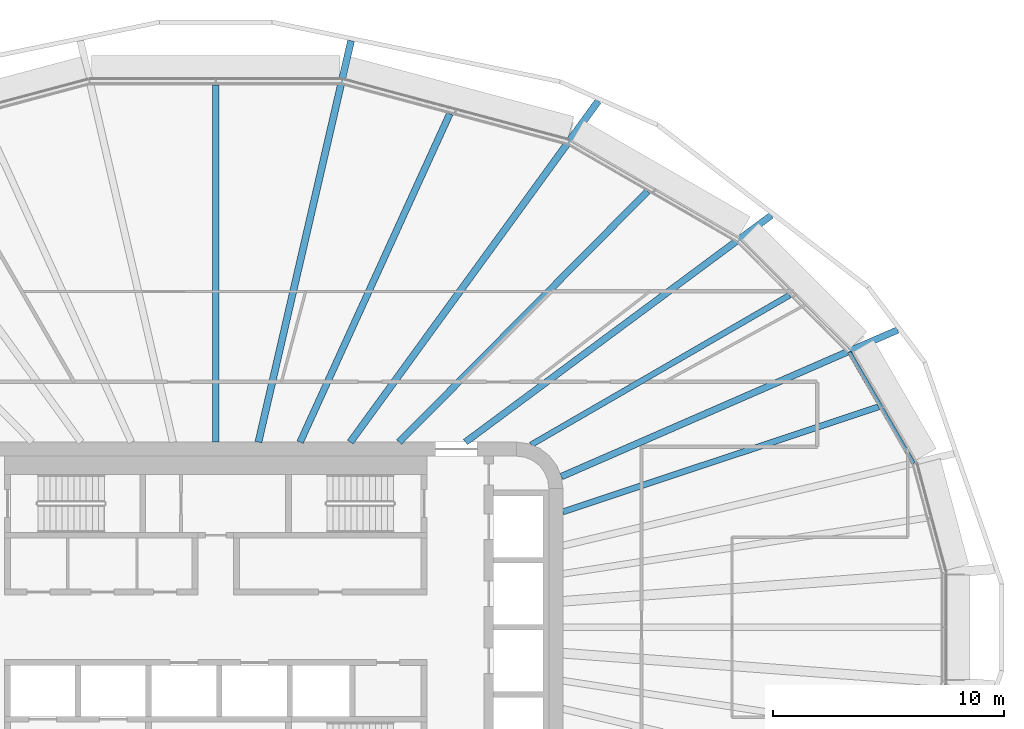
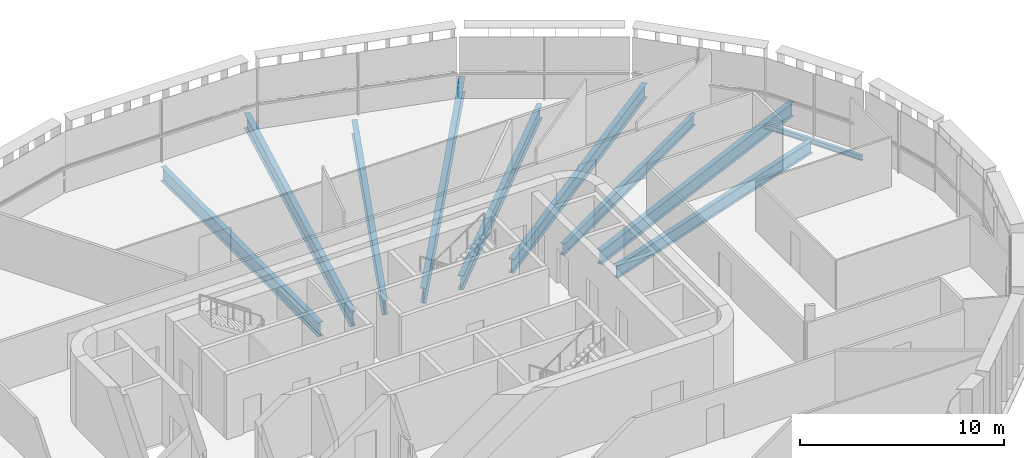
# One storey, part 9 of 25: 10 beams.
"""IFC4 building model written with IfcOpenShell, lengths in metres."""

import ifcopenshell
import ifcopenshell.guid

model = None  # the IFC model being written
_history = None  # IfcOwnerHistory: only IFC2X3 demands one
_inside = {}  # id of a spatial element -> (the spatial element, [elements in it])
_under = {}  # id of a project, library or spatial element -> (it, [spatial elements below it])
_declared = {}  # id of a project -> (the project, [libraries it declares])
_typed = {}  # id of a type object -> (the type object, [elements of that type])
_made_of = {}  # id of a material, layer set ... -> (it, [elements and type objects made of it])


def new_model(schema):
    """Start an empty IFC model of exactly this schema.

    Asked for "IFC4X3", IfcOpenShell would pick the latest addendum, in which some entities
    have other attributes; the version numbers below select the first issue.
    IFC2X3 requires an IfcOwnerHistory on every rooted entity: one is made here for all.
    """
    global model, _history
    if schema == "IFC4X3":
        model = ifcopenshell.file(schema_version=(4, 3, 0, 0))
    else:
        model = ifcopenshell.file(schema=schema)
    _inside.clear()
    _under.clear()
    _declared.clear()
    _typed.clear()
    _made_of.clear()
    _history = None
    if model.schema == "IFC2X3":
        org = make("IfcOrganization", Name="unknown")
        user = make(
            "IfcPersonAndOrganization",
            ThePerson=make("IfcPerson", FamilyName="unknown"),
            TheOrganization=org,
        )
        app = make(
            "IfcApplication",
            ApplicationDeveloper=org,
            Version="unknown",
            ApplicationFullName="unknown",
            ApplicationIdentifier="unknown",
        )
        _history = make(
            "IfcOwnerHistory",
            OwningUser=user,
            OwningApplication=app,
            ChangeAction="ADDED",
            CreationDate=0,
        )
    return model


def make(cls, **values):
    """One entity of the class cls with the attributes given. An attribute that is None is left unset."""
    return model.create_entity(
        cls, **{name: value for name, value in values.items() if value is not None}
    )


def rooted(cls, **values):
    """An entity with a GlobalId (a new one), such as an element, a storey or a relation."""
    return make(cls, GlobalId=ifcopenshell.guid.new(), OwnerHistory=_history, **values)


def si_unit(unit_type, name, prefix=None):
    """IfcSIUnit, for example si_unit("LENGTHUNIT", "METRE", prefix="MILLI")."""
    return make("IfcSIUnit", UnitType=unit_type, Prefix=prefix, Name=name)


def assignment(units):
    """IfcUnitAssignment: the units of a project."""
    return None if units is None else make("IfcUnitAssignment", Units=units)


def point(xyz):
    """IfcCartesianPoint."""
    return None if xyz is None else make("IfcCartesianPoint", Coordinates=xyz)


def direction(xyz):
    """IfcDirection."""
    return None if xyz is None else make("IfcDirection", DirectionRatios=xyz)


def frame(location, z_axis=None, x_axis=None):
    """IfcAxis2Placement3D, a coordinate frame: its origin and axes. An axis left out is left unset."""
    return make(
        "IfcAxis2Placement3D",
        Location=point(location),
        Axis=direction(z_axis),
        RefDirection=direction(x_axis),
    )


def frame_2d(location, x_axis=None):
    """IfcAxis2Placement2D, a coordinate frame in the plane: its origin and x axis."""
    return make(
        "IfcAxis2Placement2D", Location=point(location), RefDirection=direction(x_axis)
    )


def origin():
    """The frame at (0, 0, 0) with its axes left unset."""
    return frame((0.0, 0.0, 0.0))


def origin_2d():
    """The frame at (0, 0) in the plane with its x axis left unset."""
    return frame_2d((0.0, 0.0))


def place(relative_to, where):
    """IfcLocalPlacement: puts the frame where relative to a parent placement (None: the world)."""
    return make(
        "IfcLocalPlacement", PlacementRelTo=relative_to, RelativePlacement=where
    )


def context(
    kind, dimensions, precision=None, world=None, true_north=None, identifier=None
):
    """IfcGeometricRepresentationContext, for example the 3D "Model" context."""
    return make(
        "IfcGeometricRepresentationContext",
        ContextIdentifier=identifier,
        ContextType=kind,
        CoordinateSpaceDimension=dimensions,
        Precision=precision,
        WorldCoordinateSystem=world,
        TrueNorth=true_north,
    )


def subcontext(parent, identifier, kind, view, scale=None):
    """IfcGeometricRepresentationSubContext, for example "Body" below "Model"."""
    return make(
        "IfcGeometricRepresentationSubContext",
        ContextIdentifier=identifier,
        ContextType=kind,
        ParentContext=parent,
        TargetScale=scale,
        TargetView=view,
    )


def project(units=None, contexts=None):
    """IfcProject with its units and contexts."""
    return rooted(
        "IfcProject",
        Name="project",
        RepresentationContexts=contexts,
        UnitsInContext=assignment(units),
    )


def spatial(cls, under=None, at=None, **own):
    """A site, building, storey or space (cls), placed at a placement, below another one or the project."""
    s = rooted(cls, ObjectPlacement=at, **own)
    if under is not None:
        _under.setdefault(under.id(), (under, []))[1].append(s)
    return s


def profile(cls, at=None, kind="AREA", **sizes):
    """A parametric profile (cls). Its sizes go by their IFC names, for example OverallWidth=200.0."""
    return make(cls, ProfileType=kind, Position=at, **sizes)


def i_section(**sizes):
    """IfcIShapeProfileDef."""
    return profile("IfcIShapeProfileDef", **sizes)


def extrude(swept, where, along, depth):
    """IfcExtrudedAreaSolid: the profile swept, set in the frame where, extruded along a direction by depth."""
    return make(
        "IfcExtrudedAreaSolid",
        SweptArea=swept,
        Position=where,
        ExtrudedDirection=direction(along),
        Depth=depth,
    )


def shape(context_of_items, identifier, shape_type, items):
    """IfcShapeRepresentation: the items that make up one representation, for example the "Body"."""
    return make(
        "IfcShapeRepresentation",
        ContextOfItems=context_of_items,
        RepresentationIdentifier=identifier,
        RepresentationType=shape_type,
        Items=items,
    )


def material(Name=None, Category=None):
    """IfcMaterial."""
    return make("IfcMaterial", Name=Name, Category=Category)


def material_profile(
    of_material, cross_section, Name=None, Category=None, Priority=None
):
    """IfcMaterialProfile: a cross section and its material."""
    return make(
        "IfcMaterialProfile",
        Name=Name,
        Material=of_material,
        Profile=cross_section,
        Priority=Priority,
        Category=Category,
    )


def profile_set(profiles, Name=None, composite=None):
    """IfcMaterialProfileSet."""
    return make(
        "IfcMaterialProfileSet",
        Name=Name,
        MaterialProfiles=profiles,
        CompositeProfile=composite,
    )


def made_of(thing, what):
    """Note that an element or type object is made of a material, layer set ...; save() writes the relation."""
    if what is not None:
        _made_of.setdefault(what.id(), (what, []))[1].append(thing)
    return thing


def type_object(cls, material=None, **own):
    """A type object (cls), such as IfcWallType, which elements share."""
    return made_of(rooted(cls, **own), material)


def element(
    cls,
    number,
    at=None,
    inside=None,
    cuts=None,
    type_object=None,
    material=None,
    context=None,
    identifier="Body",
    shape_type=None,
    held_by="IfcProductDefinitionShape",
    body=None,
    shapes=None,
    **own,
):
    """One element of the class cls, such as IfcWall. Its Tag is "e" and its number.

    at: its placement. inside: the storey or other place that contains it. cuts: it is an
    opening in that element (IfcRelVoidsElement). A single representation is given by context,
    identifier, shape_type and body (its items); several are given by shapes. held_by: the class
    of the entity that holds the representations. save() writes the other relations.
    """
    e = rooted(cls, Tag="e%d" % number, ObjectPlacement=at, **own)
    if body is not None:
        shapes = [shape(context, identifier, shape_type, body)]
    if shapes is not None:
        e.Representation = make(held_by, Representations=shapes)
    if inside is not None:
        _inside.setdefault(inside.id(), (inside, []))[1].append(e)
    if cuts is not None:
        rooted(
            "IfcRelVoidsElement", RelatingBuildingElement=cuts, RelatedOpeningElement=e
        )
    if type_object is not None:
        _typed.setdefault(type_object.id(), (type_object, []))[1].append(e)
    return made_of(e, material)


def aggregate(whole, parts):
    """IfcRelAggregates: a whole, such as a stair, and the parts it consists of."""
    return rooted("IfcRelAggregates", RelatingObject=whole, RelatedObjects=parts)


def save(model, path):
    """Write the relations noted so far, then the file.

    IfcRelAggregates (storeys below a building ...), IfcRelContainedInSpatialStructure (elements
    in a storey), IfcRelDefinesByType, IfcRelAssociatesMaterial and IfcRelDeclares: one each for
    every whole, place, type object, material and project.
    """
    for whole, parts in _under.values():
        aggregate(whole, parts)
    for where, things in _inside.values():
        rooted(
            "IfcRelContainedInSpatialStructure",
            RelatedElements=things,
            RelatingStructure=where,
        )
    for kind, things in _typed.values():
        rooted("IfcRelDefinesByType", RelatedObjects=things, RelatingType=kind)
    for what, things in _made_of.values():
        rooted("IfcRelAssociatesMaterial", RelatedObjects=things, RelatingMaterial=what)
    for by, libraries in _declared.values():
        rooted("IfcRelDeclares", RelatingContext=by, RelatedDefinitions=libraries)
    model.write(path)


model = new_model("IFC4")

# Units and contexts
model_context = context("Model", 3, precision=1e-05, world=origin(), true_north=direction((0.0, 1.0)))
body_context = subcontext(model_context, "Body", "Model", "MODEL_VIEW")
ifc_project = project(units=[si_unit("LENGTHUNIT", "METRE"), si_unit("AREAUNIT", "SQUARE_METRE"), si_unit("VOLUMEUNIT", "CUBIC_METRE"), si_unit("PLANEANGLEUNIT", "RADIAN"), si_unit("MASSUNIT", "GRAM", prefix="KILO")], contexts=[model_context])

# Site, building, storey
site_placement = place(None, origin())
site = spatial("IfcSite", under=ifc_project, at=site_placement, CompositionType="ELEMENT")
building_placement = place(site_placement, origin())
building = spatial("IfcBuilding", under=site, at=building_placement, Name="Sahrelin Media Tower", CompositionType="ELEMENT")
storey_placement = place(building_placement, frame((0.0, 0.0, 144.0)))
storey = spatial("IfcBuildingStorey", under=building, at=storey_placement, Name="L29", CompositionType="ELEMENT", Elevation=144.0)

# Beams
ifc_material = material(Name="Steel S355", Category="steel")
ifc_material_profile_1 = material_profile(ifc_material, i_section(OverallWidth=0.1650390625, OverallDepth=0.303466796875, WebThickness=0.006103515625, FlangeThickness=0.01025390625, FilletRadius=0.0087890625, at=origin_2d()), Name="UB 305x165x40")
ifc_profile_set_1 = profile_set([ifc_material_profile_1], Name="Steel S355")
beam_type_1 = type_object("IfcBeamType", Name="Edge beam EB2", PredefinedType="BEAM", material=ifc_profile_set_1)
beam_1_placement = place(storey_placement, frame((27.382080078125, 11.880615234375, -0.3017578125), z_axis=(0.500036242679, -0.866004478053, 0.0), x_axis=(0.866004478053, 0.500036242679, 0.0)))
element("IfcBeam", 1, at=beam_1_placement, inside=storey, type_object=beam_type_1, Name="Edge beam L29-23", PredefinedType="BEAM", context=body_context, shape_type="SweptSolid", body=[
    extrude(i_section(OverallWidth=0.1650390625, OverallDepth=0.303466796875, WebThickness=0.006103515625, FlangeThickness=0.01025390625, FilletRadius=0.0087890625, at=origin_2d()), origin(), (0.0, 0.0, 1.0), 5.544921875),
])
ifc_material_profile_2 = material_profile(ifc_material, i_section(OverallWidth=0.291748046875, OverallDepth=0.8349609375, WebThickness=0.013916015625, FlangeThickness=0.018798828125, FilletRadius=0.017822265625, at=origin_2d()), Name="UB 838x292x176")
ifc_profile_set_2 = profile_set([ifc_material_profile_2], Name="Steel S355")
beam_type_2 = type_object("IfcBeamType", Name="Radial primary beam PB10", PredefinedType="BEAM", material=ifc_profile_set_2)
beam_2_placement = place(storey_placement, frame((14.93310546875, 6.509521484375, -0.5673828125), z_axis=(0.916695386273, 0.399586747509, 0.0), x_axis=(-0.399586747509, 0.916695386273, 0.0)))
element("IfcBeam", 2, at=beam_2_placement, inside=storey, type_object=beam_type_2, Name="Radial beam L29-03", PredefinedType="BEAM", context=body_context, shape_type="SweptSolid", body=[
    extrude(i_section(OverallWidth=0.291748046875, OverallDepth=0.8349609375, WebThickness=0.013916015625, FlangeThickness=0.018798828125, FilletRadius=0.017822265625, at=origin_2d()), origin(), (0.0, 0.0, 1.0), 15.85693359375),
])
beam_3_placement = place(storey_placement, frame((10.791015625, 8.0, -0.5673828125), z_axis=(0.803315320736, 0.595553940017, 0.0), x_axis=(-0.595553940017, 0.803315320736, 0.0)))
element("IfcBeam", 3, at=beam_3_placement, inside=storey, type_object=beam_type_2, Name="Radial beam L29-04", PredefinedType="BEAM", context=body_context, shape_type="SweptSolid", body=[
    extrude(i_section(OverallWidth=0.291748046875, OverallDepth=0.8349609375, WebThickness=0.013916015625, FlangeThickness=0.018798828125, FilletRadius=0.017822265625, at=origin_2d()), origin(), (0.0, 0.0, 1.0), 16.454833984375),
])
ifc_material_profile_3 = material_profile(ifc_material, i_section(OverallWidth=0.30322265625, OverallDepth=0.903076171875, WebThickness=0.01513671875, FlangeThickness=0.020263671875, FilletRadius=0.01904296875, at=origin_2d()), Name="UB 914x305x201")
ifc_profile_set_3 = profile_set([ifc_material_profile_3], Name="Steel S355")
beam_type_3 = type_object("IfcBeamType", Name="Radial primary beam PB11", PredefinedType="BEAM", material=ifc_profile_set_3)
beam_4_placement = place(storey_placement, frame((5.81591796875, 8.0, -0.6015625), z_axis=(0.588034674596, 0.808835719707, 0.0), x_axis=(-0.808835719707, 0.588034674596, 0.0)))
element("IfcBeam", 4, at=beam_4_placement, inside=storey, type_object=beam_type_3, Name="Radial beam L29-05", PredefinedType="BEAM", context=body_context, shape_type="SweptSolid", body=[
    extrude(i_section(OverallWidth=0.30322265625, OverallDepth=0.903076171875, WebThickness=0.01513671875, FlangeThickness=0.020263671875, FilletRadius=0.01904296875, at=origin_2d()), origin(), (0.0, 0.0, 1.0), 18.22314453125),
])
beam_5_placement = place(storey_placement, frame((1.846435546875, 8.0, -0.6015625), z_axis=(0.224896572048, 0.97438264141, 0.0), x_axis=(-0.97438264141, 0.224896572048, 0.0)))
element("IfcBeam", 5, at=beam_5_placement, inside=storey, type_object=beam_type_3, Name="Radial beam L29-06", PredefinedType="BEAM", context=body_context, shape_type="SweptSolid", body=[
    extrude(i_section(OverallWidth=0.30322265625, OverallDepth=0.903076171875, WebThickness=0.01513671875, FlangeThickness=0.020263671875, FilletRadius=0.01904296875, at=origin_2d()), origin(), (0.0, 0.0, 1.0), 17.799072265625),
])
ifc_material_profile_4 = material_profile(ifc_material, i_section(OverallWidth=0.291748046875, OverallDepth=0.8349609375, WebThickness=0.013916015625, FlangeThickness=0.018798828125, FilletRadius=0.017822265625, at=origin_2d()), Name="UB 838x292x176")
ifc_profile_set_4 = profile_set([ifc_material_profile_4], Name="Steel S355")
beam_type_4 = type_object("IfcBeamType", Name="Radial secondary beam SB10", PredefinedType="BEAM", material=ifc_profile_set_4)
beam_6_placement = place(storey_placement, frame((7.92578125, 8.0, -0.5673828125), z_axis=(0.703794822352, 0.710403299563, 0.0), x_axis=(-0.710403299563, 0.703794822352, 0.0)))
element("IfcBeam", 6, at=beam_6_placement, inside=storey, type_object=beam_type_4, Name="Secondary beam L29-04", PredefinedType="BEAM", context=body_context, shape_type="SweptSolid", body=[
    extrude(i_section(OverallWidth=0.291748046875, OverallDepth=0.8349609375, WebThickness=0.013916015625, FlangeThickness=0.018798828125, FilletRadius=0.017822265625, at=origin_2d()), origin(), (0.0, 0.0, 1.0), 15.257568359375),
])
beam_7_placement = place(storey_placement, frame((3.64697265625, 8.0, -0.5673828125), z_axis=(0.414807797457, 0.909909056538, 0.0), x_axis=(-0.909909056538, 0.414807797457, 0.0)))
element("IfcBeam", 7, at=beam_7_placement, inside=storey, type_object=beam_type_4, Name="Secondary beam L29-05", PredefinedType="BEAM", context=body_context, shape_type="SweptSolid", body=[
    extrude(i_section(OverallWidth=0.291748046875, OverallDepth=0.8349609375, WebThickness=0.013916015625, FlangeThickness=0.018798828125, FilletRadius=0.017822265625, at=origin_2d()), origin(), (0.0, 0.0, 1.0), 15.59228515625),
])
beam_8_placement = place(storey_placement, frame((0.0, 8.0, -0.5673828125), z_axis=(0.0, 1.0, 0.0), x_axis=(-1.0, 0.0, 0.0)))
element("IfcBeam", 8, at=beam_8_placement, inside=storey, type_object=beam_type_4, Name="Secondary beam L29-06", PredefinedType="BEAM", context=body_context, shape_type="SweptSolid", body=[
    extrude(i_section(OverallWidth=0.291748046875, OverallDepth=0.8349609375, WebThickness=0.013916015625, FlangeThickness=0.018798828125, FilletRadius=0.017822265625, at=origin_2d()), origin(), (0.0, 0.0, 1.0), 15.431884765625),
])
ifc_material_profile_5 = material_profile(ifc_material, i_section(OverallWidth=0.2529296875, OverallDepth=0.677978515625, WebThickness=0.01171875, FlangeThickness=0.01611328125, FilletRadius=0.01513671875, at=origin_2d()), Name="UB 686x254x125")
ifc_profile_set_5 = profile_set([ifc_material_profile_5], Name="Steel S355")
beam_type_5 = type_object("IfcBeamType", Name="Radial secondary beam SB8", PredefinedType="BEAM", material=ifc_profile_set_5)
beam_9_placement = place(storey_placement, frame((13.62939453125, 7.885498046875, -0.489013671875), z_axis=(0.865569164292, 0.500789398676, 0.0), x_axis=(-0.500789398676, 0.865569164292, 0.0)))
element("IfcBeam", 9, at=beam_9_placement, inside=storey, type_object=beam_type_5, Name="Secondary beam L29-03", PredefinedType="BEAM", context=body_context, shape_type="SweptSolid", body=[
    extrude(i_section(OverallWidth=0.2529296875, OverallDepth=0.677978515625, WebThickness=0.01171875, FlangeThickness=0.01611328125, FilletRadius=0.01513671875, at=origin_2d()), origin(), (0.0, 0.0, 1.0), 12.904541015625),
])
ifc_material_profile_6 = material_profile(ifc_material, i_section(OverallWidth=0.26513671875, OverallDepth=0.75390625, WebThickness=0.0126953125, FlangeThickness=0.017578125, FilletRadius=0.0166015625, at=origin_2d()), Name="UB 762x267x147")
ifc_profile_set_6 = profile_set([ifc_material_profile_6], Name="Steel S355")
beam_type_6 = type_object("IfcBeamType", Name="Radial secondary beam SB9", PredefinedType="BEAM", material=ifc_profile_set_6)
beam_10_placement = place(storey_placement, frame((15.0, 4.9873046875, -0.527099609375), z_axis=(0.948922383089, 0.315509605039, 0.0), x_axis=(-0.315509605039, 0.948922383089, 0.0)))
element("IfcBeam", 10, at=beam_10_placement, inside=storey, type_object=beam_type_6, Name="Secondary beam L29-02", PredefinedType="BEAM", context=body_context, shape_type="SweptSolid", body=[
    extrude(i_section(OverallWidth=0.26513671875, OverallDepth=0.75390625, WebThickness=0.0126953125, FlangeThickness=0.017578125, FilletRadius=0.0166015625, at=origin_2d()), origin(), (0.0, 0.0, 1.0), 14.3818359375),
])

save(model, "model.ifc")
